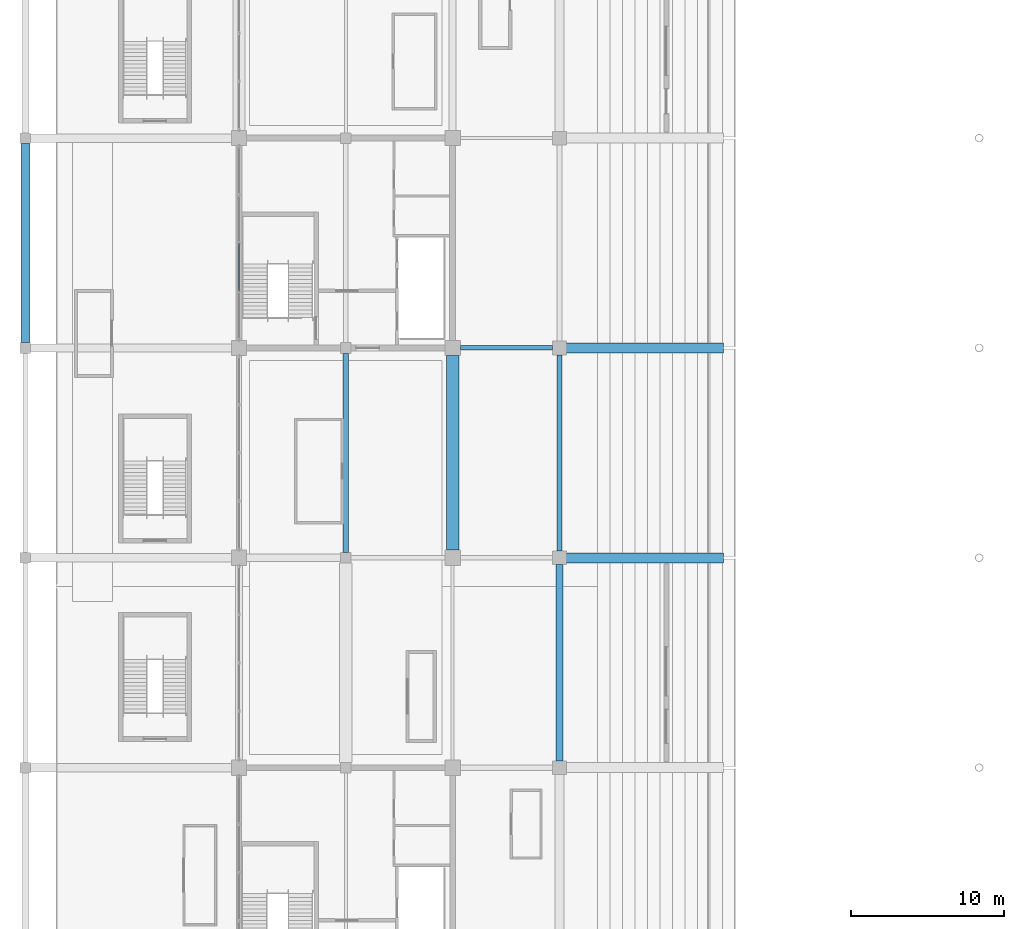
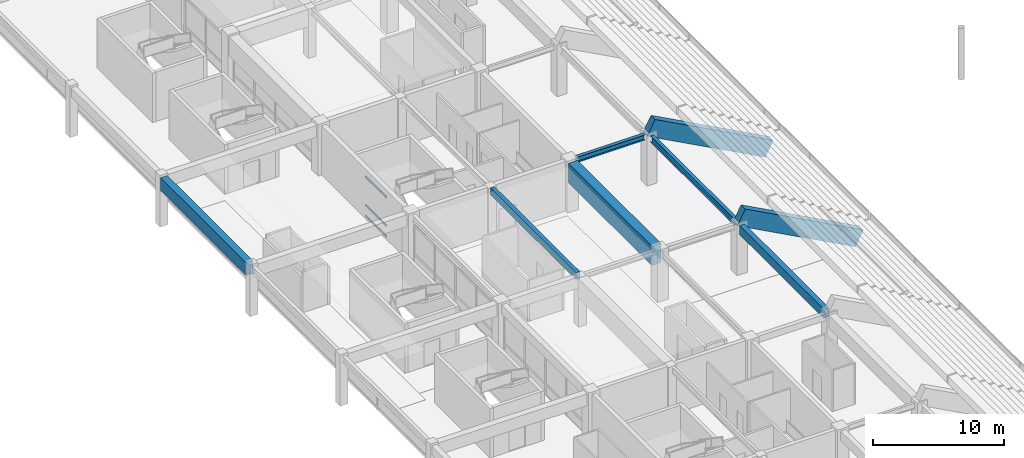
# One storey, part 28 of 94: 8 beams, 3 members, 1 element without a shape of its own.
"""IFC4 building model written with IfcOpenShell, lengths in metres."""

from ifc_helpers import new_model, si_unit, direction, frame, origin, origin_2d, place, context, subcontext, project, spatial, rectangle, hollow_rectangle, i_section, extrude, material, material_profile, profile_set, type_object, element, aggregate, save


model = new_model("IFC4")

# Units and contexts
model_context = context("Model", 3, precision=1e-05, world=origin(), true_north=direction((0.0, 1.0)))
body_context = subcontext(model_context, "Body", "Model", "MODEL_VIEW")
ifc_project = project(units=[si_unit("LENGTHUNIT", "METRE"), si_unit("AREAUNIT", "SQUARE_METRE"), si_unit("VOLUMEUNIT", "CUBIC_METRE"), si_unit("PLANEANGLEUNIT", "RADIAN"), si_unit("MASSUNIT", "GRAM", prefix="KILO")], contexts=[model_context])

# Site, building, storey
site_placement = place(None, origin())
site = spatial("IfcSite", under=ifc_project, at=site_placement, CompositionType="ELEMENT")
building_placement = place(site_placement, origin())
building = spatial("IfcBuilding", under=site, at=building_placement, Name="Linyun Crest Stadium", CompositionType="ELEMENT")
storey_placement = place(building_placement, frame((0.0, 0.0, 16.199951171875)))
storey = spatial("IfcBuildingStorey", under=building, at=storey_placement, Name="L04", CompositionType="ELEMENT", Elevation=16.199951171875)

# Beams
ifc_material_1 = material(Name="Concrete C40", Category="concrete")
ifc_material_profile_1 = material_profile(ifc_material_1, rectangle(XDim=0.35009765625, YDim=0.64990234375, at=origin_2d()), Name="RCB 650x350")
ifc_profile_set_1 = profile_set([ifc_material_profile_1], Name="Concrete C40")
beam_type_1 = type_object("IfcBeamType", Name="B02", PredefinedType="BEAM", material=ifc_profile_set_1)
beam_1_placement = place(storey_placement, frame((-77.0, -11.27490234375, 4.275146484375), z_axis=(0.0, 1.0, 0.0), x_axis=(-1.0, 0.0, 0.0)))
element("IfcBeam", 1, at=beam_1_placement, inside=storey, type_object=beam_type_1, Name="Frame beam B02 L04 334", PredefinedType="BEAM", context=body_context, shape_type="SweptSolid", body=[
    extrude(rectangle(XDim=0.35009765625, YDim=0.64990234375, at=origin_2d()), origin(), (0.0, 0.0, 1.0), 13.0498046875),
])
ifc_material_2 = material(Name="Concrete C40", Category="concrete")
ifc_material_profile_2 = material_profile(ifc_material_2, rectangle(XDim=0.449951171875, YDim=0.85009765625, at=origin_2d()), Name="RCB 850x450")
ifc_profile_set_2 = profile_set([ifc_material_profile_2], Name="Concrete C40")
beam_type_2 = type_object("IfcBeamType", Name="B04", PredefinedType="BEAM", material=ifc_profile_set_2)
beam_2_placement = place(storey_placement, frame((-63.0, -24.925048828125, 4.175048828125), z_axis=(0.0, 1.0, 0.0), x_axis=(-1.0, 0.0, 0.0)))
element("IfcBeam", 2, at=beam_2_placement, inside=storey, type_object=beam_type_2, Name="Frame beam B04 L04 344", PredefinedType="BEAM", context=body_context, shape_type="SweptSolid", body=[
    extrude(rectangle(XDim=0.449951171875, YDim=0.85009765625, at=origin_2d()), origin(), (0.0, 0.0, 1.0), 12.85009765625),
])
ifc_material_3 = material(Name="Steel Q355C", Category="steel")
ifc_material_profile_3 = material_profile(ifc_material_3, i_section(OverallWidth=0.300048828125, OverallDepth=0.488037109375, WebThickness=0.010986328125, FlangeThickness=0.01806640625, at=origin_2d()), Name="HM 488x300")
ifc_profile_set_3 = profile_set([ifc_material_profile_3], Name="Steel Q355C")
beam_type_3 = type_object("IfcBeamType", Name="B08", PredefinedType="BEAM", material=ifc_profile_set_3)
beam_3_placement = place(storey_placement, frame((-69.5, 2.125, 4.35595703125), z_axis=(1.0, 0.0, 0.0), x_axis=(0.0, 1.0, 0.0)))
element("IfcBeam", 3, at=beam_3_placement, inside=storey, type_object=beam_type_3, Name="Frame beam B08 L04 311", PredefinedType="BEAM", context=body_context, shape_type="SweptSolid", body=[
    extrude(i_section(OverallWidth=0.300048828125, OverallDepth=0.488037109375, WebThickness=0.010986328125, FlangeThickness=0.01806640625, at=origin_2d()), origin(), (0.0, 0.0, 1.0), 6.050048828125),
])
ifc_material_4 = material(Name="Steel Q355C", Category="steel")
ifc_material_profile_4 = material_profile(ifc_material_4, i_section(OverallWidth=0.300048828125, OverallDepth=0.587890625, WebThickness=0.011962890625, FlangeThickness=0.02001953125, at=origin_2d()), Name="HM 588x300")
ifc_profile_set_4 = profile_set([ifc_material_profile_4], Name="Steel Q355C")
beam_type_4 = type_object("IfcBeamType", Name="B09", PredefinedType="BEAM", material=ifc_profile_set_4)
beam_4_placement = place(storey_placement, frame((-63.0, -11.175048828125, 4.30615234375), z_axis=(0.0, 1.0, 0.0), x_axis=(-1.0, 0.0, 0.0)))
element("IfcBeam", 4, at=beam_4_placement, inside=storey, type_object=beam_type_4, Name="Frame beam B09 L04 345", PredefinedType="BEAM", context=body_context, shape_type="SweptSolid", body=[
    extrude(i_section(OverallWidth=0.300048828125, OverallDepth=0.587890625, WebThickness=0.011962890625, FlangeThickness=0.02001953125, at=origin_2d()), origin(), (0.0, 0.0, 1.0), 12.85009765625),
])
ifc_material_5 = material(Name="Concrete C50", Category="concrete")
ifc_material_profile_5 = material_profile(ifc_material_5, rectangle(XDim=0.800048828125, YDim=1.800048828125, at=origin_2d()), Name="RCB 1800x800")
ifc_profile_set_5 = profile_set([ifc_material_profile_5], Name="Concrete C50")
beam_type_5 = type_object("IfcBeamType", Name="B14", PredefinedType="BEAM", material=ifc_profile_set_5)
beam_5_placement = place(storey_placement, frame((-70.0, -11.125, 3.699951171875), z_axis=(0.0, 1.0, 0.0), x_axis=(-1.0, 0.0, 0.0)))
element("IfcBeam", 5, at=beam_5_placement, inside=storey, type_object=beam_type_5, Name="Frame beam B14 L04 340", PredefinedType="BEAM", context=body_context, shape_type="SweptSolid", body=[
    extrude(rectangle(XDim=0.800048828125, YDim=1.800048828125, at=origin_2d()), origin(), (0.0, 0.0, 1.0), 12.75),
])
ifc_material_6 = material(Name="Precast concrete C50", Category="concrete")
ifc_material_profile_6 = material_profile(ifc_material_6, rectangle(XDim=0.64990234375, YDim=1.5, at=origin_2d()), Name="PCR 1500x650")
ifc_profile_set_6 = profile_set([ifc_material_profile_6], Name="Precast concrete C50")
beam_type_6 = type_object("IfcBeamType", Name="RB04", PredefinedType="USERDEFINED", material=ifc_profile_set_6)
for number, where, z_axis, x_axis, name in (
    (6, (-52.60009765625, -11.625, -0.39990234375), (-0.88047441838, 0.0, 0.474093660134), (0.0, -1.0, 0.0), "Precast raker beam RB04 V1 27"),
    (7, (-52.60009765625, 2.125, -0.39990234375), (-0.88047441838, 0.0, 0.474093660134), (0.0, -1.0, 0.0), "Precast raker beam RB04 V1 35"),
):
    element("IfcBeam", number, at=place(storey_placement, frame(where, z_axis=z_axis, x_axis=x_axis)), inside=storey, type_object=beam_type_6, Name=name, ObjectType="RAKER", PredefinedType="USERDEFINED", context=body_context, shape_type="SweptSolid", body=[
        extrude(rectangle(XDim=0.64990234375, YDim=1.5, at=origin_2d()), origin(), (0.0, 0.0, 1.0), 11.811767578125),
    ])
ifc_material_7 = material(Name="Concrete C50", Category="concrete")
ifc_material_profile_7 = material_profile(ifc_material_7, rectangle(XDim=0.60009765625, YDim=1.199951171875, at=origin_2d()), Name="RCB 1200x600")
ifc_profile_set_7 = profile_set([ifc_material_profile_7], Name="Concrete C50")
beam_type_7 = type_object("IfcBeamType", Name="TB02", PredefinedType="USERDEFINED", material=ifc_profile_set_7)
beam_6_placement = place(storey_placement, frame((-98.0, 2.47509765625, 4.0), z_axis=(0.0, 1.0, 0.0), x_axis=(-1.0, 0.0, 0.0)))
element("IfcBeam", 8, at=beam_6_placement, inside=storey, type_object=beam_type_7, Name="Frame beam TB02 L04 324", ObjectType="GIRDER", PredefinedType="USERDEFINED", context=body_context, shape_type="SweptSolid", body=[
    extrude(rectangle(XDim=0.60009765625, YDim=1.199951171875, at=origin_2d()), origin(), (0.0, 0.0, 1.0), 13.0498046875),
])

# Curtain wall, members
ifc_material_8 = material(Name="Verdigris steel and low-E curtain wall assembly", Category="steel")
curtain_wall_type = type_object("IfcCurtainWallType", Name="MCW06", PredefinedType="NOTDEFINED", material=ifc_material_8)
curtain_wall_placement = place(storey_placement, origin())
curtain_wall = element("IfcCurtainWall", 9, at=curtain_wall_placement, inside=storey, type_object=curtain_wall_type, Name="CWR-102", PredefinedType="NOTDEFINED")
ifc_material_9 = material(Name="Verdigris painted steel Q355B transom", Category="steel")
ifc_material_profile_8 = material_profile(ifc_material_9, hollow_rectangle(XDim=0.080078125, YDim=0.179931640625, WallThickness=0.006103515625, at=origin_2d()), Name="RHS 180x80x6")
ifc_profile_set_8 = profile_set([ifc_material_profile_8], Name="Verdigris painted steel Q355B transom")
member_type = type_object("IfcMemberType", Name="TR02", PredefinedType="USERDEFINED", material=ifc_profile_set_8)
member_1_placement = place(storey_placement, frame((-84.0, 5.8369140625, 0.0), z_axis=(0.0, 1.0, 0.0), x_axis=(-1.0, 0.0, 0.0)))
member_1 = element("IfcMember", 10, at=member_1_placement, type_object=member_type, Name="CWR-102 transom 2.1", ObjectType="TRANSOM", PredefinedType="USERDEFINED", context=body_context, shape_type="SweptSolid", body=[
    extrude(hollow_rectangle(XDim=0.080078125, YDim=0.179931640625, WallThickness=0.006103515625, at=origin_2d()), origin(), (0.0, 0.0, 1.0), 3.1630859375),
])
member_2_placement = place(storey_placement, frame((-84.0, 5.8369140625, 1.0), z_axis=(0.0, 1.0, 0.0), x_axis=(-1.0, 0.0, 0.0)))
member_2 = element("IfcMember", 11, at=member_2_placement, type_object=member_type, Name="CWR-102 transom 2.2", ObjectType="TRANSOM", PredefinedType="USERDEFINED", context=body_context, shape_type="SweptSolid", body=[
    extrude(hollow_rectangle(XDim=0.080078125, YDim=0.179931640625, WallThickness=0.006103515625, at=origin_2d()), origin(), (0.0, 0.0, 1.0), 3.1630859375),
])
member_3_placement = place(storey_placement, frame((-84.0, 5.8369140625, 3.650146484375), z_axis=(0.0, 1.0, 0.0), x_axis=(-1.0, 0.0, 0.0)))
member_3 = element("IfcMember", 12, at=member_3_placement, type_object=member_type, Name="CWR-102 transom 2.3", ObjectType="TRANSOM", PredefinedType="USERDEFINED", context=body_context, shape_type="SweptSolid", body=[
    extrude(hollow_rectangle(XDim=0.080078125, YDim=0.179931640625, WallThickness=0.006103515625, at=origin_2d()), origin(), (0.0, 0.0, 1.0), 3.1630859375),
])
aggregate(curtain_wall, [member_1, member_2, member_3])

save(model, "model.ifc")
